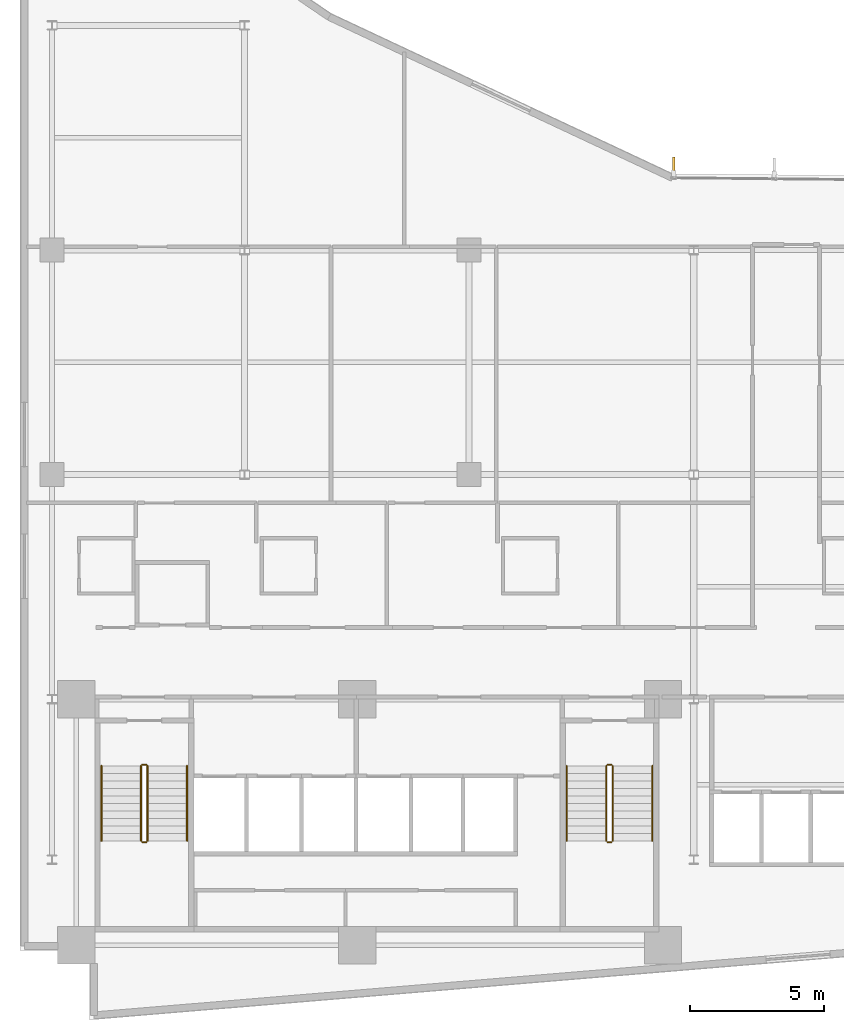
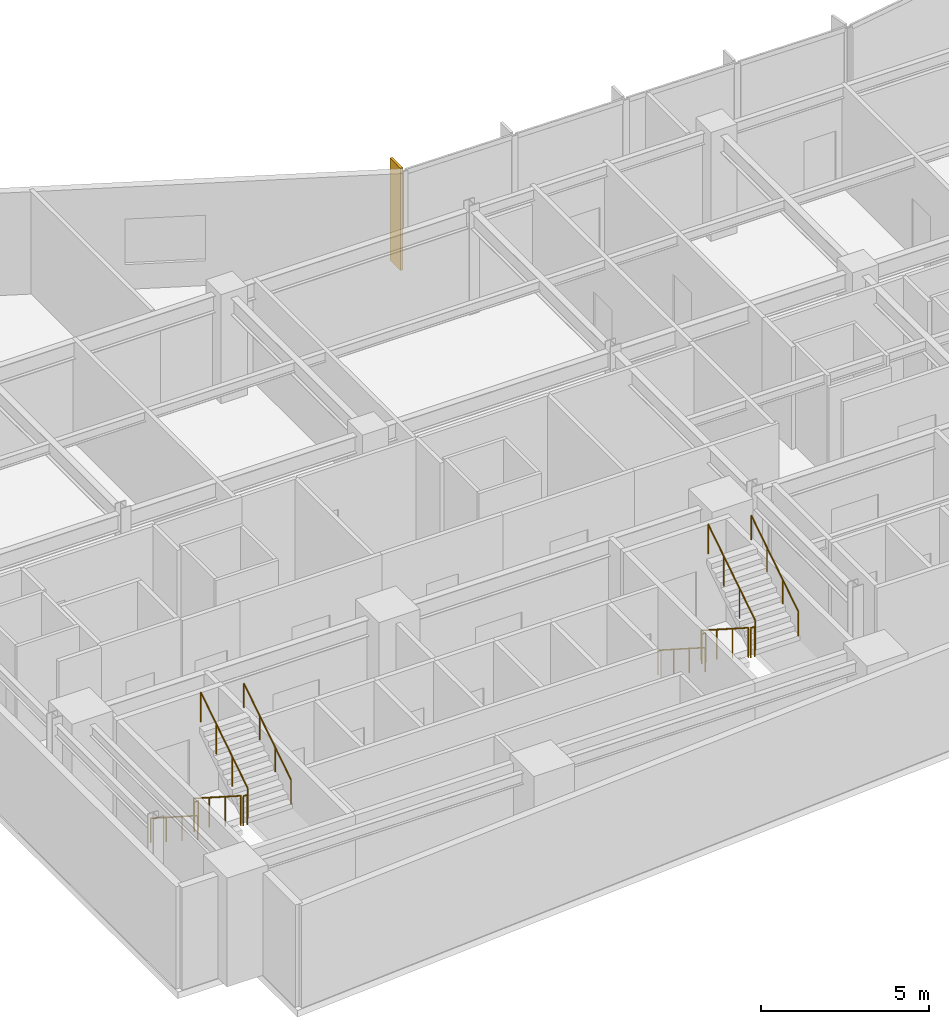
# One storey, part 15 of 19: 12 railings, 1 shading device.
"""IFC4 building model written with IfcOpenShell, lengths in metres."""

from ifc_helpers import new_model, si_unit, direction, frame, origin, origin_2d, place, context, subcontext, project, spatial, rectangle, circle, extrude, material, layer, layer_set, type_object, element, save


model = new_model("IFC4")

# Units and contexts
model_context = context("Model", 3, precision=1e-05, world=origin(), true_north=direction((0.0, 1.0)))
body_context = subcontext(model_context, "Body", "Model", "MODEL_VIEW")
ifc_project = project(units=[si_unit("LENGTHUNIT", "METRE"), si_unit("AREAUNIT", "SQUARE_METRE"), si_unit("VOLUMEUNIT", "CUBIC_METRE"), si_unit("PLANEANGLEUNIT", "RADIAN"), si_unit("MASSUNIT", "GRAM", prefix="KILO")], contexts=[model_context])

# Site, building, storey
site_placement = place(None, origin())
site = spatial("IfcSite", under=ifc_project, at=site_placement, CompositionType="ELEMENT")
building_placement = place(site_placement, origin())
building = spatial("IfcBuilding", under=site, at=building_placement, Name="Varnakote Quay Hospital", CompositionType="ELEMENT")
storey_placement = place(building_placement, frame((0.0, 0.0, 50.14990234375)))
storey = spatial("IfcBuildingStorey", under=building, at=storey_placement, Name="L12", CompositionType="ELEMENT", Elevation=50.14990234375)

# Railings
ifc_material_1 = material(Name="Brushed stainless steel balustrade", Category="steel")
railing_type_1 = type_object("IfcRailingType", Name="RLG-STAIR-GUARD-1150", PredefinedType="GUARDRAIL", material=ifc_material_1)
railing_1_placement = place(storey_placement, frame((4.530029296875, 9.5, 0.1796875)))
element("IfcRailing", 1, at=railing_1_placement, inside=storey, type_object=railing_type_1, Name="L12 ST-01 stair guard 1", PredefinedType="GUARDRAIL", context=body_context, shape_type="SweptSolid", body=[
    extrude(circle(Radius=0.02392578125, at=origin_2d()), frame((0.0, 0.0, 1.076171875), z_axis=(0.0, -0.841809871826, 0.539774156196), x_axis=(1.0, 0.0, 0.0)), (0.0, 0.0, 1.0), 3.326171875),
    extrude(circle(Radius=0.02099609375, at=origin_2d()), origin(), (0.0, 0.0, 1.0), 1.052001953125),
    extrude(circle(Radius=0.02099609375, at=origin_2d()), frame((0.0, -0.933349609375, 0.598388671875)), (0.0, 0.0, 1.0), 1.052001953125),
    extrude(circle(Radius=0.02099609375, at=origin_2d()), frame((0.0, -1.86669921875, 1.197021484375)), (0.0, 0.0, 1.0), 1.052001953125),
    extrude(circle(Radius=0.02099609375, at=origin_2d()), frame((0.0, -2.800048828125, 1.79541015625)), (0.0, 0.0, 1.0), 1.052001953125),
])
railing_2_placement = place(storey_placement, frame((4.580078125, 6.64990234375, 1.97509765625)))
element("IfcRailing", 2, at=railing_2_placement, inside=storey, type_object=railing_type_1, Name="L12 ST-01 stair guard 2", PredefinedType="GUARDRAIL", context=body_context, shape_type="SweptSolid", body=[
    extrude(circle(Radius=0.02392578125, at=origin_2d()), frame((0.0, 0.0, 1.076171875), z_axis=(1.0, 0.0, 0.0), x_axis=(0.0, 1.0, 0.0)), (0.0, 0.0, 1.0), 0.139892578125),
    extrude(circle(Radius=0.02099609375, at=origin_2d()), origin(), (0.0, 0.0, 1.0), 1.052001953125),
    extrude(circle(Radius=0.02099609375, at=origin_2d()), frame((0.139892578125, 0.0, 0.0)), (0.0, 0.0, 1.0), 1.052001953125),
])
railing_3_placement = place(storey_placement, frame((4.77001953125, 6.699951171875, 2.154541015625)))
element("IfcRailing", 3, at=railing_3_placement, inside=storey, type_object=railing_type_1, Name="L12 ST-01 stair guard 3", PredefinedType="GUARDRAIL", context=body_context, shape_type="SweptSolid", body=[
    extrude(circle(Radius=0.02392578125, at=origin_2d()), frame((0.0, 0.0, 1.076171875), z_axis=(0.0, 0.841776520102, 0.539826166654), x_axis=(-1.0, 0.0, 0.0)), (0.0, 0.0, 1.0), 3.326416015625),
    extrude(circle(Radius=0.02099609375, at=origin_2d()), origin(), (0.0, 0.0, 1.0), 1.052001953125),
    extrude(circle(Radius=0.02099609375, at=origin_2d()), frame((0.0, 0.933349609375, 0.5986328125)), (0.0, 0.0, 1.0), 1.052001953125),
    extrude(circle(Radius=0.02099609375, at=origin_2d()), frame((0.0, 1.86669921875, 1.197021484375)), (0.0, 0.0, 1.0), 1.052001953125),
    extrude(circle(Radius=0.02099609375, at=origin_2d()), frame((0.0, 2.800048828125, 1.795654296875)), (0.0, 0.0, 1.0), 1.052001953125),
])
railing_4_placement = place(storey_placement, frame((4.580078125, 9.550048828125, 0.0)))
element("IfcRailing", 4, at=railing_4_placement, inside=storey, type_object=railing_type_1, Name="L12 ST-01 stair guard 4", PredefinedType="GUARDRAIL", context=body_context, shape_type="SweptSolid", body=[
    extrude(circle(Radius=0.02392578125, at=origin_2d()), frame((0.0, 0.0, 1.076171875), z_axis=(1.0, 0.0, 0.0), x_axis=(0.0, 1.0, 0.0)), (0.0, 0.0, 1.0), 0.139892578125),
    extrude(circle(Radius=0.02099609375, at=origin_2d()), origin(), (0.0, 0.0, 1.0), 1.052001953125),
    extrude(circle(Radius=0.02099609375, at=origin_2d()), frame((0.139892578125, 0.0, 0.0)), (0.0, 0.0, 1.0), 1.052001953125),
])
railing_5_placement = place(storey_placement, frame((21.929931640625, 9.5, 0.1796875)))
element("IfcRailing", 5, at=railing_5_placement, inside=storey, type_object=railing_type_1, Name="L12 ST-02 stair guard 1", PredefinedType="GUARDRAIL", context=body_context, shape_type="SweptSolid", body=[
    extrude(circle(Radius=0.02392578125, at=origin_2d()), frame((0.0, 0.0, 1.076171875), z_axis=(0.0, -0.841809871826, 0.539774156196), x_axis=(1.0, 0.0, 0.0)), (0.0, 0.0, 1.0), 3.326171875),
    extrude(circle(Radius=0.02099609375, at=origin_2d()), origin(), (0.0, 0.0, 1.0), 1.052001953125),
    extrude(circle(Radius=0.02099609375, at=origin_2d()), frame((0.0, -0.933349609375, 0.598388671875)), (0.0, 0.0, 1.0), 1.052001953125),
    extrude(circle(Radius=0.02099609375, at=origin_2d()), frame((0.0, -1.86669921875, 1.197021484375)), (0.0, 0.0, 1.0), 1.052001953125),
    extrude(circle(Radius=0.02099609375, at=origin_2d()), frame((0.0, -2.800048828125, 1.79541015625)), (0.0, 0.0, 1.0), 1.052001953125),
])
railing_6_placement = place(storey_placement, frame((21.97998046875, 6.64990234375, 1.97509765625)))
element("IfcRailing", 6, at=railing_6_placement, inside=storey, type_object=railing_type_1, Name="L12 ST-02 stair guard 2", PredefinedType="GUARDRAIL", context=body_context, shape_type="SweptSolid", body=[
    extrude(circle(Radius=0.02392578125, at=origin_2d()), frame((0.0, 0.0, 1.076171875), z_axis=(1.0, 0.0, 0.0), x_axis=(0.0, 1.0, 0.0)), (0.0, 0.0, 1.0), 0.14013671875),
    extrude(circle(Radius=0.02099609375, at=origin_2d()), origin(), (0.0, 0.0, 1.0), 1.052001953125),
    extrude(circle(Radius=0.02099609375, at=origin_2d()), frame((0.14013671875, 0.0, 0.0)), (0.0, 0.0, 1.0), 1.052001953125),
])
railing_7_placement = place(storey_placement, frame((22.169921875, 6.699951171875, 2.154541015625)))
element("IfcRailing", 7, at=railing_7_placement, inside=storey, type_object=railing_type_1, Name="L12 ST-02 stair guard 3", PredefinedType="GUARDRAIL", context=body_context, shape_type="SweptSolid", body=[
    extrude(circle(Radius=0.02392578125, at=origin_2d()), frame((0.0, 0.0, 1.076171875), z_axis=(0.0, 0.841776520102, 0.539826166654), x_axis=(-1.0, 0.0, 0.0)), (0.0, 0.0, 1.0), 3.326416015625),
    extrude(circle(Radius=0.02099609375, at=origin_2d()), origin(), (0.0, 0.0, 1.0), 1.052001953125),
    extrude(circle(Radius=0.02099609375, at=origin_2d()), frame((0.0, 0.933349609375, 0.5986328125)), (0.0, 0.0, 1.0), 1.052001953125),
    extrude(circle(Radius=0.02099609375, at=origin_2d()), frame((0.0, 1.86669921875, 1.197021484375)), (0.0, 0.0, 1.0), 1.052001953125),
    extrude(circle(Radius=0.02099609375, at=origin_2d()), frame((0.0, 2.800048828125, 1.795654296875)), (0.0, 0.0, 1.0), 1.052001953125),
])
railing_8_placement = place(storey_placement, frame((21.97998046875, 9.550048828125, 0.0)))
element("IfcRailing", 8, at=railing_8_placement, inside=storey, type_object=railing_type_1, Name="L12 ST-02 stair guard 4", PredefinedType="GUARDRAIL", context=body_context, shape_type="SweptSolid", body=[
    extrude(circle(Radius=0.02392578125, at=origin_2d()), frame((0.0, 0.0, 1.076171875), z_axis=(1.0, 0.0, 0.0), x_axis=(0.0, 1.0, 0.0)), (0.0, 0.0, 1.0), 0.14013671875),
    extrude(circle(Radius=0.02099609375, at=origin_2d()), origin(), (0.0, 0.0, 1.0), 1.052001953125),
    extrude(circle(Radius=0.02099609375, at=origin_2d()), frame((0.14013671875, 0.0, 0.0)), (0.0, 0.0, 1.0), 1.052001953125),
])
ifc_material_2 = material(Name="Brushed stainless steel handrail", Category="steel")
railing_type_2 = type_object("IfcRailingType", Name="RLG-STAIR-HND-920", PredefinedType="HANDRAIL", material=ifc_material_2)
railing_9_placement = place(storey_placement, frame((3.050048828125, 9.5, 0.1796875)))
element("IfcRailing", 9, at=railing_9_placement, inside=storey, type_object=railing_type_2, Name="L12 ST-01 stair handrail 1", PredefinedType="HANDRAIL", context=body_context, shape_type="SweptSolid", body=[
    extrude(circle(Radius=0.02392578125, at=origin_2d()), frame((0.0, 0.0, 0.8759765625), z_axis=(0.0, -0.841809871826, 0.539774156196), x_axis=(1.0, 0.0, 0.0)), (0.0, 0.0, 1.0), 3.326171875),
    extrude(circle(Radius=0.02099609375, at=origin_2d()), origin(), (0.0, 0.0, 1.0), 0.851806640625),
    extrude(circle(Radius=0.02099609375, at=origin_2d()), frame((0.0, -0.933349609375, 0.598388671875)), (0.0, 0.0, 1.0), 0.851806640625),
    extrude(circle(Radius=0.02099609375, at=origin_2d()), frame((0.0, -1.86669921875, 1.197021484375)), (0.0, 0.0, 1.0), 0.851806640625),
    extrude(circle(Radius=0.02099609375, at=origin_2d()), frame((0.0, -2.800048828125, 1.79541015625)), (0.0, 0.0, 1.0), 0.851806640625),
])
railing_10_placement = place(storey_placement, frame((6.25, 6.699951171875, 2.154541015625)))
element("IfcRailing", 10, at=railing_10_placement, inside=storey, type_object=railing_type_2, Name="L12 ST-01 stair handrail 2", PredefinedType="HANDRAIL", context=body_context, shape_type="SweptSolid", body=[
    extrude(circle(Radius=0.02392578125, at=origin_2d()), frame((0.0, 0.0, 0.8759765625), z_axis=(0.0, 0.841776520102, 0.539826166654), x_axis=(-1.0, 0.0, 0.0)), (0.0, 0.0, 1.0), 3.326416015625),
    extrude(circle(Radius=0.02099609375, at=origin_2d()), origin(), (0.0, 0.0, 1.0), 0.851806640625),
    extrude(circle(Radius=0.02099609375, at=origin_2d()), frame((0.0, 0.933349609375, 0.5986328125)), (0.0, 0.0, 1.0), 0.851806640625),
    extrude(circle(Radius=0.02099609375, at=origin_2d()), frame((0.0, 1.86669921875, 1.197021484375)), (0.0, 0.0, 1.0), 0.851806640625),
    extrude(circle(Radius=0.02099609375, at=origin_2d()), frame((0.0, 2.800048828125, 1.795654296875)), (0.0, 0.0, 1.0), 0.851806640625),
])
railing_11_placement = place(storey_placement, frame((20.449951171875, 9.5, 0.1796875)))
element("IfcRailing", 11, at=railing_11_placement, inside=storey, type_object=railing_type_2, Name="L12 ST-02 stair handrail 1", PredefinedType="HANDRAIL", context=body_context, shape_type="SweptSolid", body=[
    extrude(circle(Radius=0.02392578125, at=origin_2d()), frame((0.0, 0.0, 0.8759765625), z_axis=(0.0, -0.841809871826, 0.539774156196), x_axis=(1.0, 0.0, 0.0)), (0.0, 0.0, 1.0), 3.326171875),
    extrude(circle(Radius=0.02099609375, at=origin_2d()), origin(), (0.0, 0.0, 1.0), 0.851806640625),
    extrude(circle(Radius=0.02099609375, at=origin_2d()), frame((0.0, -0.933349609375, 0.598388671875)), (0.0, 0.0, 1.0), 0.851806640625),
    extrude(circle(Radius=0.02099609375, at=origin_2d()), frame((0.0, -1.86669921875, 1.197021484375)), (0.0, 0.0, 1.0), 0.851806640625),
    extrude(circle(Radius=0.02099609375, at=origin_2d()), frame((0.0, -2.800048828125, 1.79541015625)), (0.0, 0.0, 1.0), 0.851806640625),
])
railing_12_placement = place(storey_placement, frame((23.64990234375, 6.699951171875, 2.154541015625)))
element("IfcRailing", 12, at=railing_12_placement, inside=storey, type_object=railing_type_2, Name="L12 ST-02 stair handrail 2", PredefinedType="HANDRAIL", context=body_context, shape_type="SweptSolid", body=[
    extrude(circle(Radius=0.02392578125, at=origin_2d()), frame((0.0, 0.0, 0.8759765625), z_axis=(0.0, 0.841776520102, 0.539826166654), x_axis=(-1.0, 0.0, 0.0)), (0.0, 0.0, 1.0), 3.326416015625),
    extrude(circle(Radius=0.02099609375, at=origin_2d()), origin(), (0.0, 0.0, 1.0), 0.851806640625),
    extrude(circle(Radius=0.02099609375, at=origin_2d()), frame((0.0, 0.933349609375, 0.5986328125)), (0.0, 0.0, 1.0), 0.851806640625),
    extrude(circle(Radius=0.02099609375, at=origin_2d()), frame((0.0, 1.86669921875, 1.197021484375)), (0.0, 0.0, 1.0), 0.851806640625),
    extrude(circle(Radius=0.02099609375, at=origin_2d()), frame((0.0, 2.800048828125, 1.795654296875)), (0.0, 0.0, 1.0), 0.851806640625),
])

# Shading device
ifc_material_3 = material(Name="Anodised aluminium 6063-T6 Bronze", Category="aluminium")
ifc_layer = layer(ifc_material_3, 0.0849609375)
ifc_layer_set = layer_set([ifc_layer], Name="Anodised aluminium 6063-T6 Bronze")
shading_device_type = type_object("IfcShadingDeviceType", Name="SHD-BRONZE-FIN-620", PredefinedType="USERDEFINED", material=ifc_layer_set)
shading_device_placement = place(storey_placement, frame((24.44970703125, 31.9619140625, 0.0), z_axis=(0.0, 0.0, 1.0), x_axis=(-0.009773688199, -0.999952236369, 0.0)))
element("IfcShadingDevice", 13, at=shading_device_placement, inside=storey, type_object=shading_device_type, Name="L12 Anodised Bronze Vertical Shading FIN", ObjectType="FIN", PredefinedType="USERDEFINED", context=body_context, shape_type="SweptSolid", body=[
    extrude(rectangle(XDim=0.6201171875, YDim=0.0849609375, at=origin_2d()), origin(), (0.0, 0.0, 1.0), 3.7099609375),
])

save(model, "model.ifc")
